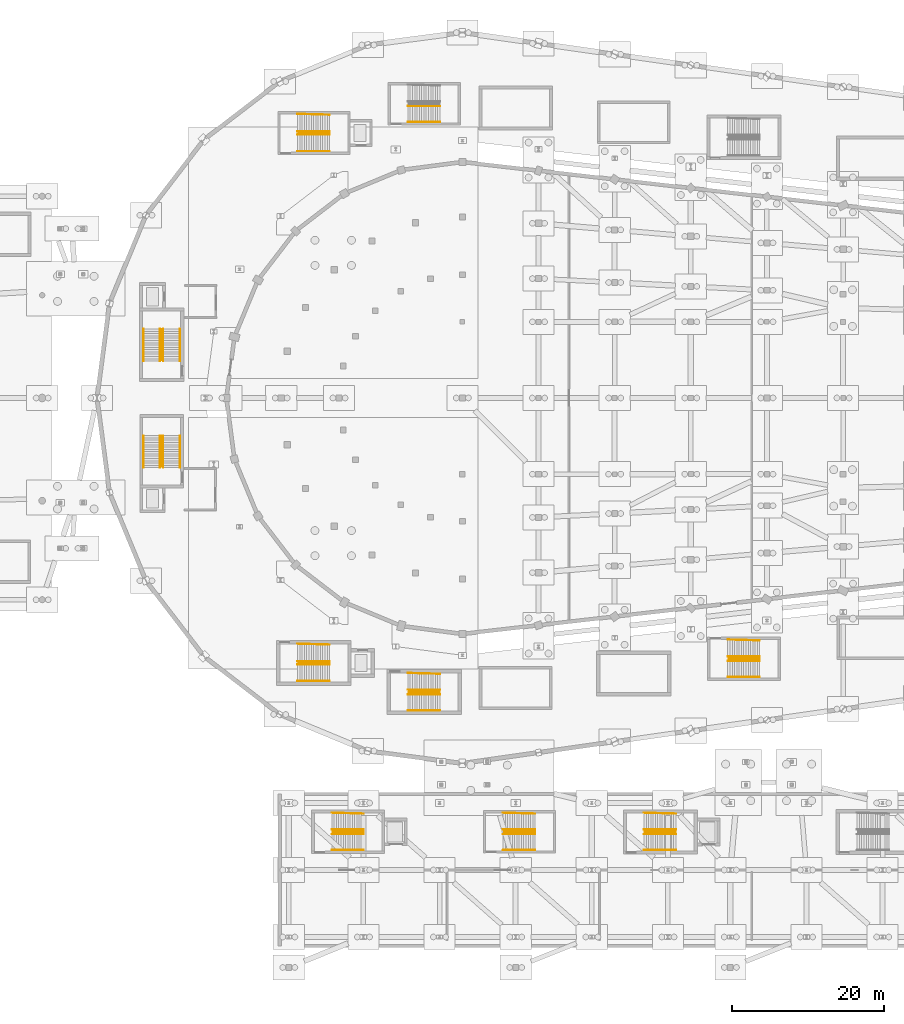
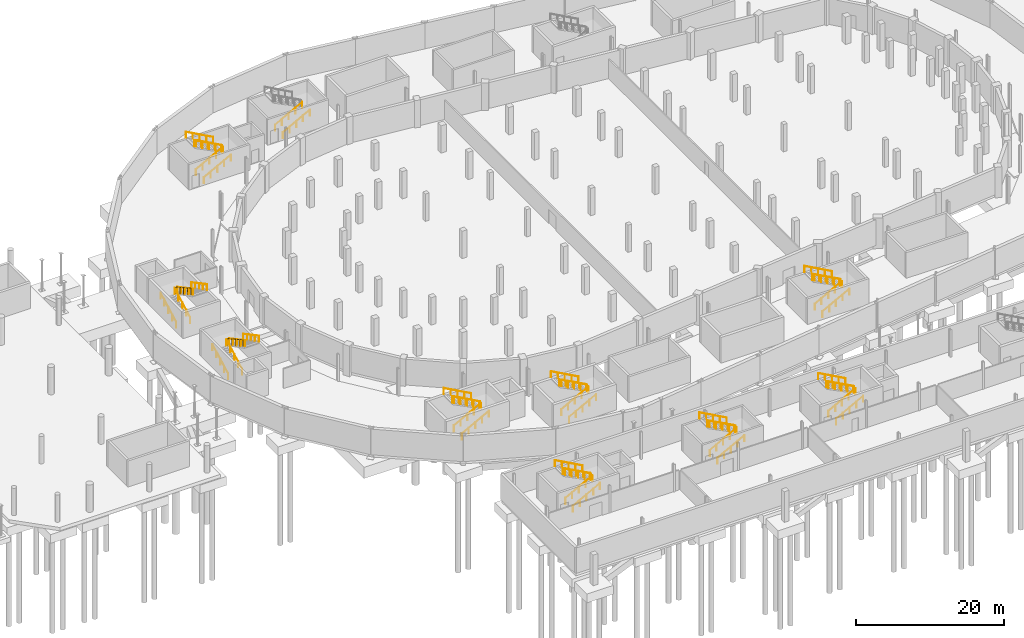
# One storey, part 53 of 55: 47 railings.
"""IFC4 building model written with IfcOpenShell, lengths in metres."""

from ifc_helpers import new_model, si_unit, direction, frame, origin, origin_2d, place, context, subcontext, project, spatial, circle, extrude, material, type_object, element, save


model = new_model("IFC4")

# Units and contexts
model_context = context("Model", 3, precision=1e-05, world=origin(), true_north=direction((0.0, 1.0)))
body_context = subcontext(model_context, "Body", "Model", "MODEL_VIEW")
ifc_project = project(units=[si_unit("LENGTHUNIT", "METRE"), si_unit("AREAUNIT", "SQUARE_METRE"), si_unit("VOLUMEUNIT", "CUBIC_METRE"), si_unit("PLANEANGLEUNIT", "RADIAN"), si_unit("MASSUNIT", "GRAM", prefix="KILO")], contexts=[model_context])

# Site, building, storey
site_placement = place(None, origin())
site = spatial("IfcSite", under=ifc_project, at=site_placement, CompositionType="ELEMENT")
building_placement = place(site_placement, origin())
building = spatial("IfcBuilding", under=site, at=building_placement, Name="Sohan Crest Arena", CompositionType="ELEMENT")
storey_placement = place(building_placement, frame((0.0, 0.0, -4.5)))
storey = spatial("IfcBuildingStorey", under=building, at=storey_placement, Name="B1", CompositionType="ELEMENT", Elevation=-4.5)

# Railings
ifc_material_1 = material(Name="Powder-coated wrought steel balustrade", Category="steel")
railing_type_1 = type_object("IfcRailingType", Name="ARC-GRD-01", PredefinedType="GUARDRAIL", material=ifc_material_1)
for number, where, name in (
    (1, (58.5, 73.030029296875, 2.25), "Stair well slot guard GRD-001"),
    (2, (58.5, 87.030029296875, 2.25), "Stair well slot guard GRD-008"),
):
    element("IfcRailing", number, at=place(storey_placement, frame(where)), inside=storey, type_object=railing_type_1, Name=name, PredefinedType="GUARDRAIL", context=body_context, shape_type="SweptSolid", body=[
        extrude(circle(Radius=0.02392578125, at=origin_2d()), frame((0.0, 0.0, 1.076171875), z_axis=(0.0, -0.87313487534, 0.487478706678), x_axis=(1.0, 0.0, 0.0)), (0.0, 0.0, 1.0), 4.615478515625),
        extrude(circle(Radius=0.02099609375, at=origin_2d()), origin(), (0.0, 0.0, 1.0), 1.052001953125),
        extrude(circle(Radius=0.02099609375, at=origin_2d()), frame((0.0, -1.007568359375, 0.5625)), (0.0, 0.0, 1.0), 1.052001953125),
        extrude(circle(Radius=0.02099609375, at=origin_2d()), frame((0.0, -2.01513671875, 1.125)), (0.0, 0.0, 1.0), 1.052001953125),
        extrude(circle(Radius=0.02099609375, at=origin_2d()), frame((0.0, -3.0224609375, 1.6875)), (0.0, 0.0, 1.0), 1.052001953125),
        extrude(circle(Radius=0.02099609375, at=origin_2d()), frame((0.0, -4.030029296875, 2.25)), (0.0, 0.0, 1.0), 1.052001953125),
    ])
for number, where, name in (
    (3, (80.530029296875, 43.199951171875, 2.25), "Stair well slot guard GRD-015"),
    (4, (80.530029296875, 112.800048828125, 2.25), "Stair well slot guard GRD-022"),
    (5, (107.530029296875, 21.0, 2.25), "Stair well slot guard GRD-066"),
    (6, (85.030029296875, 21.0, 2.25), "Stair well slot guard GRD-087"),
    (7, (126.030029296875, 21.0, 2.25), "Stair well slot guard GRD-093"),
    (8, (95.030029296875, 39.360107421875, 2.25), "Stair well slot guard GRD-099"),
    (9, (137.030029296875, 43.75, 2.25), "Stair well slot guard GRD-111"),
):
    element("IfcRailing", number, at=place(storey_placement, frame(where)), inside=storey, type_object=railing_type_1, Name=name, PredefinedType="GUARDRAIL", context=body_context, shape_type="SweptSolid", body=[
        extrude(circle(Radius=0.02392578125, at=origin_2d()), frame((0.0, 0.0, 1.076171875), z_axis=(-0.87313487534, 0.0, 0.487478706678), x_axis=(0.0, -1.0, 0.0)), (0.0, 0.0, 1.0), 4.615478515625),
        extrude(circle(Radius=0.02099609375, at=origin_2d()), origin(), (0.0, 0.0, 1.0), 1.052001953125),
        extrude(circle(Radius=0.02099609375, at=origin_2d()), frame((-1.007568359375, 0.0, 0.5625)), (0.0, 0.0, 1.0), 1.052001953125),
        extrude(circle(Radius=0.02099609375, at=origin_2d()), frame((-2.01513671875, 0.0, 1.125)), (0.0, 0.0, 1.0), 1.052001953125),
        extrude(circle(Radius=0.02099609375, at=origin_2d()), frame((-3.0224609375, 0.0, 1.6875)), (0.0, 0.0, 1.0), 1.052001953125),
        extrude(circle(Radius=0.02099609375, at=origin_2d()), frame((-4.030029296875, 0.0, 2.25)), (0.0, 0.0, 1.0), 1.052001953125),
    ])
ifc_material_2 = material(Name="Brushed stainless steel stair handrail", Category="steel")
railing_type_2 = type_object("IfcRailingType", Name="ARC-HR-01", PredefinedType="HANDRAIL", material=ifc_material_2)
for number, where, name in (
    (10, (56.110107421875, 68.85009765625, 0.0), "Stair pitch handrail HR-001"),
    (11, (58.2900390625, 68.85009765625, 0.0), "Stair pitch handrail HR-002"),
):
    element("IfcRailing", number, at=place(storey_placement, frame(where)), inside=storey, type_object=railing_type_2, Name=name, PredefinedType="HANDRAIL", context=body_context, shape_type="SweptSolid", body=[
        extrude(circle(Radius=0.02392578125, at=origin_2d()), frame((0.0, 0.0, 0.97607421875), z_axis=(0.0, 0.881477684796, 0.472225678258), x_axis=(-1.0, 0.0, 0.0)), (0.0, 0.0, 1.0), 4.7646484375),
        extrude(circle(Radius=0.02099609375, at=origin_2d()), origin(), (0.0, 0.0, 1.0), 0.951904296875),
        extrude(circle(Radius=0.02099609375, at=origin_2d()), frame((0.0, 1.050048828125, 0.5625)), (0.0, 0.0, 1.0), 0.951904296875),
        extrude(circle(Radius=0.02099609375, at=origin_2d()), frame((0.0, 2.10009765625, 1.125)), (0.0, 0.0, 1.0), 0.951904296875),
        extrude(circle(Radius=0.02099609375, at=origin_2d()), frame((0.0, 3.14990234375, 1.6875)), (0.0, 0.0, 1.0), 0.951904296875),
        extrude(circle(Radius=0.02099609375, at=origin_2d()), frame((0.0, 4.199951171875, 2.25)), (0.0, 0.0, 1.0), 0.951904296875),
    ])
for number, where, name in (
    (12, (58.7099609375, 73.050048828125, 2.25), "Stair pitch handrail HR-003"),
    (13, (60.889892578125, 73.050048828125, 2.25), "Stair pitch handrail HR-004"),
):
    element("IfcRailing", number, at=place(storey_placement, frame(where)), inside=storey, type_object=railing_type_2, Name=name, PredefinedType="HANDRAIL", context=body_context, shape_type="SweptSolid", body=[
        extrude(circle(Radius=0.02392578125, at=origin_2d()), frame((0.0, 0.0, 0.97607421875), z_axis=(0.0, -0.881477684796, 0.472225678258), x_axis=(1.0, 0.0, 0.0)), (0.0, 0.0, 1.0), 4.7646484375),
        extrude(circle(Radius=0.02099609375, at=origin_2d()), origin(), (0.0, 0.0, 1.0), 0.951904296875),
        extrude(circle(Radius=0.02099609375, at=origin_2d()), frame((0.0, -1.050048828125, 0.5625)), (0.0, 0.0, 1.0), 0.951904296875),
        extrude(circle(Radius=0.02099609375, at=origin_2d()), frame((0.0, -2.10009765625, 1.125)), (0.0, 0.0, 1.0), 0.951904296875),
        extrude(circle(Radius=0.02099609375, at=origin_2d()), frame((0.0, -3.14990234375, 1.6875)), (0.0, 0.0, 1.0), 0.951904296875),
        extrude(circle(Radius=0.02099609375, at=origin_2d()), frame((0.0, -4.199951171875, 2.25)), (0.0, 0.0, 1.0), 0.951904296875),
    ])
for number, where, name in (
    (14, (56.110107421875, 82.85009765625, 0.0), "Stair pitch handrail HR-025"),
    (15, (58.2900390625, 82.85009765625, 0.0), "Stair pitch handrail HR-026"),
):
    element("IfcRailing", number, at=place(storey_placement, frame(where)), inside=storey, type_object=railing_type_2, Name=name, PredefinedType="HANDRAIL", context=body_context, shape_type="SweptSolid", body=[
        extrude(circle(Radius=0.02392578125, at=origin_2d()), frame((0.0, 0.0, 0.97607421875), z_axis=(0.0, 0.881477684796, 0.472225678258), x_axis=(-1.0, 0.0, 0.0)), (0.0, 0.0, 1.0), 4.7646484375),
        extrude(circle(Radius=0.02099609375, at=origin_2d()), origin(), (0.0, 0.0, 1.0), 0.951904296875),
        extrude(circle(Radius=0.02099609375, at=origin_2d()), frame((0.0, 1.050048828125, 0.5625)), (0.0, 0.0, 1.0), 0.951904296875),
        extrude(circle(Radius=0.02099609375, at=origin_2d()), frame((0.0, 2.10009765625, 1.125)), (0.0, 0.0, 1.0), 0.951904296875),
        extrude(circle(Radius=0.02099609375, at=origin_2d()), frame((0.0, 3.14990234375, 1.6875)), (0.0, 0.0, 1.0), 0.951904296875),
        extrude(circle(Radius=0.02099609375, at=origin_2d()), frame((0.0, 4.199951171875, 2.25)), (0.0, 0.0, 1.0), 0.951904296875),
    ])
for number, where, name in (
    (16, (58.7099609375, 87.050048828125, 2.25), "Stair pitch handrail HR-027"),
    (17, (60.889892578125, 87.050048828125, 2.25), "Stair pitch handrail HR-028"),
):
    element("IfcRailing", number, at=place(storey_placement, frame(where)), inside=storey, type_object=railing_type_2, Name=name, PredefinedType="HANDRAIL", context=body_context, shape_type="SweptSolid", body=[
        extrude(circle(Radius=0.02392578125, at=origin_2d()), frame((0.0, 0.0, 0.97607421875), z_axis=(0.0, -0.881477684796, 0.472225678258), x_axis=(1.0, 0.0, 0.0)), (0.0, 0.0, 1.0), 4.7646484375),
        extrude(circle(Radius=0.02099609375, at=origin_2d()), origin(), (0.0, 0.0, 1.0), 0.951904296875),
        extrude(circle(Radius=0.02099609375, at=origin_2d()), frame((0.0, -1.050048828125, 0.5625)), (0.0, 0.0, 1.0), 0.951904296875),
        extrude(circle(Radius=0.02099609375, at=origin_2d()), frame((0.0, -2.10009765625, 1.125)), (0.0, 0.0, 1.0), 0.951904296875),
        extrude(circle(Radius=0.02099609375, at=origin_2d()), frame((0.0, -3.14990234375, 1.6875)), (0.0, 0.0, 1.0), 0.951904296875),
        extrude(circle(Radius=0.02099609375, at=origin_2d()), frame((0.0, -4.199951171875, 2.25)), (0.0, 0.0, 1.0), 0.951904296875),
    ])
for number, where, name in (
    (18, (76.35009765625, 40.81005859375, 0.0), "Stair pitch handrail HR-049"),
    (19, (76.35009765625, 42.989990234375, 0.0), "Stair pitch handrail HR-050"),
):
    element("IfcRailing", number, at=place(storey_placement, frame(where)), inside=storey, type_object=railing_type_2, Name=name, PredefinedType="HANDRAIL", context=body_context, shape_type="SweptSolid", body=[
        extrude(circle(Radius=0.02392578125, at=origin_2d()), frame((0.0, 0.0, 0.97607421875), z_axis=(0.881477684796, 0.0, 0.472225678258), x_axis=(0.0, 1.0, 0.0)), (0.0, 0.0, 1.0), 4.7646484375),
        extrude(circle(Radius=0.02099609375, at=origin_2d()), origin(), (0.0, 0.0, 1.0), 0.951904296875),
        extrude(circle(Radius=0.02099609375, at=origin_2d()), frame((1.050048828125, 0.0, 0.5625)), (0.0, 0.0, 1.0), 0.951904296875),
        extrude(circle(Radius=0.02099609375, at=origin_2d()), frame((2.10009765625, 0.0, 1.125)), (0.0, 0.0, 1.0), 0.951904296875),
        extrude(circle(Radius=0.02099609375, at=origin_2d()), frame((3.14990234375, 0.0, 1.6875)), (0.0, 0.0, 1.0), 0.951904296875),
        extrude(circle(Radius=0.02099609375, at=origin_2d()), frame((4.199951171875, 0.0, 2.25)), (0.0, 0.0, 1.0), 0.951904296875),
    ])
railing_1_placement = place(storey_placement, frame((80.550048828125, 43.409912109375, 2.25)))
element("IfcRailing", 20, at=railing_1_placement, inside=storey, type_object=railing_type_2, Name="Stair pitch handrail HR-051", PredefinedType="HANDRAIL", context=body_context, shape_type="SweptSolid", body=[
    extrude(circle(Radius=0.02392578125, at=origin_2d()), frame((0.0, 0.0, 0.97607421875), z_axis=(-0.881477684796, 0.0, 0.472225678258), x_axis=(0.0, -1.0, 0.0)), (0.0, 0.0, 1.0), 4.7646484375),
    extrude(circle(Radius=0.02099609375, at=origin_2d()), origin(), (0.0, 0.0, 1.0), 0.951904296875),
    extrude(circle(Radius=0.02099609375, at=origin_2d()), frame((-1.050048828125, 0.0, 0.5625)), (0.0, 0.0, 1.0), 0.951904296875),
    extrude(circle(Radius=0.02099609375, at=origin_2d()), frame((-2.10009765625, 0.0, 1.125)), (0.0, 0.0, 1.0), 0.951904296875),
    extrude(circle(Radius=0.02099609375, at=origin_2d()), frame((-3.14990234375, 0.0, 1.6875)), (0.0, 0.0, 1.0), 0.951904296875),
    extrude(circle(Radius=0.02099609375, at=origin_2d()), frame((-4.199951171875, 0.0, 2.25)), (0.0, 0.0, 1.0), 0.951904296875),
])
railing_2_placement = place(storey_placement, frame((80.550048828125, 45.590087890625, 2.25)))
element("IfcRailing", 21, at=railing_2_placement, inside=storey, type_object=railing_type_2, Name="Stair pitch handrail HR-052", PredefinedType="HANDRAIL", context=body_context, shape_type="SweptSolid", body=[
    extrude(circle(Radius=0.02392578125, at=origin_2d()), frame((0.0, 0.0, 0.97607421875), z_axis=(-0.881198846469, 0.025150766356, 0.472076298847), x_axis=(-0.028529915312, -0.999592939117, 0.0)), (0.0, 0.0, 1.0), 4.76611328125),
    extrude(circle(Radius=0.02099609375, at=origin_2d()), origin(), (0.0, 0.0, 1.0), 0.951904296875),
    extrude(circle(Radius=0.02099609375, at=origin_2d()), frame((-1.050048828125, 0.030029296875, 0.5625)), (0.0, 0.0, 1.0), 0.951904296875),
    extrude(circle(Radius=0.02099609375, at=origin_2d()), frame((-2.10009765625, 0.06005859375, 1.125)), (0.0, 0.0, 1.0), 0.951904296875),
    extrude(circle(Radius=0.02099609375, at=origin_2d()), frame((-3.14990234375, 0.08984375, 1.6875)), (0.0, 0.0, 1.0), 0.951904296875),
    extrude(circle(Radius=0.02099609375, at=origin_2d()), frame((-4.199951171875, 0.119873046875, 2.25)), (0.0, 0.0, 1.0), 0.951904296875),
])
for number, where, name in (
    (22, (76.35009765625, 110.409912109375, 0.0), "Stair pitch handrail HR-073"),
    (23, (76.35009765625, 112.590087890625, 0.0), "Stair pitch handrail HR-074"),
):
    element("IfcRailing", number, at=place(storey_placement, frame(where)), inside=storey, type_object=railing_type_2, Name=name, PredefinedType="HANDRAIL", context=body_context, shape_type="SweptSolid", body=[
        extrude(circle(Radius=0.02392578125, at=origin_2d()), frame((0.0, 0.0, 0.97607421875), z_axis=(0.881477684796, 0.0, 0.472225678258), x_axis=(0.0, 1.0, 0.0)), (0.0, 0.0, 1.0), 4.7646484375),
        extrude(circle(Radius=0.02099609375, at=origin_2d()), origin(), (0.0, 0.0, 1.0), 0.951904296875),
        extrude(circle(Radius=0.02099609375, at=origin_2d()), frame((1.050048828125, 0.0, 0.5625)), (0.0, 0.0, 1.0), 0.951904296875),
        extrude(circle(Radius=0.02099609375, at=origin_2d()), frame((2.10009765625, 0.0, 1.125)), (0.0, 0.0, 1.0), 0.951904296875),
        extrude(circle(Radius=0.02099609375, at=origin_2d()), frame((3.14990234375, 0.0, 1.6875)), (0.0, 0.0, 1.0), 0.951904296875),
        extrude(circle(Radius=0.02099609375, at=origin_2d()), frame((4.199951171875, 0.0, 2.25)), (0.0, 0.0, 1.0), 0.951904296875),
    ])
railing_3_placement = place(storey_placement, frame((80.550048828125, 113.010009765625, 2.25)))
element("IfcRailing", 24, at=railing_3_placement, inside=storey, type_object=railing_type_2, Name="Stair pitch handrail HR-075", PredefinedType="HANDRAIL", context=body_context, shape_type="SweptSolid", body=[
    extrude(circle(Radius=0.02392578125, at=origin_2d()), frame((0.0, 0.0, 0.97607421875), z_axis=(-0.881477684796, 0.0, 0.472225678258), x_axis=(0.0, -1.0, 0.0)), (0.0, 0.0, 1.0), 4.7646484375),
    extrude(circle(Radius=0.02099609375, at=origin_2d()), origin(), (0.0, 0.0, 1.0), 0.951904296875),
    extrude(circle(Radius=0.02099609375, at=origin_2d()), frame((-1.050048828125, 0.0, 0.5625)), (0.0, 0.0, 1.0), 0.951904296875),
    extrude(circle(Radius=0.02099609375, at=origin_2d()), frame((-2.10009765625, 0.0, 1.125)), (0.0, 0.0, 1.0), 0.951904296875),
    extrude(circle(Radius=0.02099609375, at=origin_2d()), frame((-3.14990234375, 0.0, 1.6875)), (0.0, 0.0, 1.0), 0.951904296875),
    extrude(circle(Radius=0.02099609375, at=origin_2d()), frame((-4.199951171875, 0.0, 2.25)), (0.0, 0.0, 1.0), 0.951904296875),
])
railing_4_placement = place(storey_placement, frame((80.550048828125, 115.18994140625, 2.25)))
element("IfcRailing", 25, at=railing_4_placement, inside=storey, type_object=railing_type_2, Name="Stair pitch handrail HR-076", PredefinedType="HANDRAIL", context=body_context, shape_type="SweptSolid", body=[
    extrude(circle(Radius=0.02392578125, at=origin_2d()), frame((0.0, 0.0, 0.97607421875), z_axis=(-0.881197710057, 0.025201957411, 0.472075690047), x_axis=(-0.028587973606, -0.999591280357, 0.0)), (0.0, 0.0, 1.0), 4.76611328125),
    extrude(circle(Radius=0.02099609375, at=origin_2d()), origin(), (0.0, 0.0, 1.0), 0.951904296875),
    extrude(circle(Radius=0.02099609375, at=origin_2d()), frame((-1.050048828125, 0.030029296875, 0.5625)), (0.0, 0.0, 1.0), 0.951904296875),
    extrude(circle(Radius=0.02099609375, at=origin_2d()), frame((-2.10009765625, 0.06005859375, 1.125)), (0.0, 0.0, 1.0), 0.951904296875),
    extrude(circle(Radius=0.02099609375, at=origin_2d()), frame((-3.14990234375, 0.090087890625, 1.6875)), (0.0, 0.0, 1.0), 0.951904296875),
    extrude(circle(Radius=0.02099609375, at=origin_2d()), frame((-4.199951171875, 0.1201171875, 2.25)), (0.0, 0.0, 1.0), 0.951904296875),
])
for number, where, name in (
    (26, (103.35009765625, 18.610107421875, 0.0), "Stair pitch handrail HR-217"),
    (27, (103.35009765625, 20.68994140625, 0.0), "Stair pitch handrail HR-218"),
):
    element("IfcRailing", number, at=place(storey_placement, frame(where)), inside=storey, type_object=railing_type_2, Name=name, PredefinedType="HANDRAIL", context=body_context, shape_type="SweptSolid", body=[
        extrude(circle(Radius=0.02392578125, at=origin_2d()), frame((0.0, 0.0, 0.97607421875), z_axis=(0.881477684796, 0.0, 0.472225678258), x_axis=(0.0, 1.0, 0.0)), (0.0, 0.0, 1.0), 4.7646484375),
        extrude(circle(Radius=0.02099609375, at=origin_2d()), origin(), (0.0, 0.0, 1.0), 0.951904296875),
        extrude(circle(Radius=0.02099609375, at=origin_2d()), frame((1.050048828125, 0.0, 0.5625)), (0.0, 0.0, 1.0), 0.951904296875),
        extrude(circle(Radius=0.02099609375, at=origin_2d()), frame((2.10009765625, 0.0, 1.125)), (0.0, 0.0, 1.0), 0.951904296875),
        extrude(circle(Radius=0.02099609375, at=origin_2d()), frame((3.14990234375, 0.0, 1.6875)), (0.0, 0.0, 1.0), 0.951904296875),
        extrude(circle(Radius=0.02099609375, at=origin_2d()), frame((4.199951171875, 0.0, 2.25)), (0.0, 0.0, 1.0), 0.951904296875),
    ])
railing_5_placement = place(storey_placement, frame((107.550048828125, 21.31005859375, 2.25)))
element("IfcRailing", 28, at=railing_5_placement, inside=storey, type_object=railing_type_2, Name="Stair pitch handrail HR-219", PredefinedType="HANDRAIL", context=body_context, shape_type="SweptSolid", body=[
    extrude(circle(Radius=0.02392578125, at=origin_2d()), frame((0.0, 0.0, 0.97607421875), z_axis=(-0.881477684796, 0.0, 0.472225678258), x_axis=(0.0, -1.0, 0.0)), (0.0, 0.0, 1.0), 4.7646484375),
    extrude(circle(Radius=0.02099609375, at=origin_2d()), origin(), (0.0, 0.0, 1.0), 0.951904296875),
    extrude(circle(Radius=0.02099609375, at=origin_2d()), frame((-1.050048828125, 0.0, 0.5625)), (0.0, 0.0, 1.0), 0.951904296875),
    extrude(circle(Radius=0.02099609375, at=origin_2d()), frame((-2.10009765625, 0.0, 1.125)), (0.0, 0.0, 1.0), 0.951904296875),
    extrude(circle(Radius=0.02099609375, at=origin_2d()), frame((-3.14990234375, 0.0, 1.6875)), (0.0, 0.0, 1.0), 0.951904296875),
    extrude(circle(Radius=0.02099609375, at=origin_2d()), frame((-4.199951171875, 0.0, 2.25)), (0.0, 0.0, 1.0), 0.951904296875),
])
railing_6_placement = place(storey_placement, frame((107.550048828125, 23.389892578125, 2.25)))
element("IfcRailing", 29, at=railing_6_placement, inside=storey, type_object=railing_type_2, Name="Stair pitch handrail HR-220", PredefinedType="HANDRAIL", context=body_context, shape_type="SweptSolid", body=[
    extrude(circle(Radius=0.02392578125, at=origin_2d()), frame((0.0, 0.0, 0.97607421875), z_axis=(-0.881197710057, 0.025201957411, 0.472075690047), x_axis=(-0.028587973606, -0.999591280357, 0.0)), (0.0, 0.0, 1.0), 4.76611328125),
    extrude(circle(Radius=0.02099609375, at=origin_2d()), origin(), (0.0, 0.0, 1.0), 0.951904296875),
    extrude(circle(Radius=0.02099609375, at=origin_2d()), frame((-1.050048828125, 0.030029296875, 0.5625)), (0.0, 0.0, 1.0), 0.951904296875),
    extrude(circle(Radius=0.02099609375, at=origin_2d()), frame((-2.10009765625, 0.06005859375, 1.125)), (0.0, 0.0, 1.0), 0.951904296875),
    extrude(circle(Radius=0.02099609375, at=origin_2d()), frame((-3.14990234375, 0.090087890625, 1.6875)), (0.0, 0.0, 1.0), 0.951904296875),
    extrude(circle(Radius=0.02099609375, at=origin_2d()), frame((-4.199951171875, 0.1201171875, 2.25)), (0.0, 0.0, 1.0), 0.951904296875),
])
for number, where, name in (
    (30, (80.85009765625, 18.610107421875, 0.0), "Stair pitch handrail HR-281"),
    (31, (80.85009765625, 20.68994140625, 0.0), "Stair pitch handrail HR-282"),
):
    element("IfcRailing", number, at=place(storey_placement, frame(where)), inside=storey, type_object=railing_type_2, Name=name, PredefinedType="HANDRAIL", context=body_context, shape_type="SweptSolid", body=[
        extrude(circle(Radius=0.02392578125, at=origin_2d()), frame((0.0, 0.0, 0.97607421875), z_axis=(0.881477684796, 0.0, 0.472225678258), x_axis=(0.0, 1.0, 0.0)), (0.0, 0.0, 1.0), 4.7646484375),
        extrude(circle(Radius=0.02099609375, at=origin_2d()), origin(), (0.0, 0.0, 1.0), 0.951904296875),
        extrude(circle(Radius=0.02099609375, at=origin_2d()), frame((1.050048828125, 0.0, 0.5625)), (0.0, 0.0, 1.0), 0.951904296875),
        extrude(circle(Radius=0.02099609375, at=origin_2d()), frame((2.10009765625, 0.0, 1.125)), (0.0, 0.0, 1.0), 0.951904296875),
        extrude(circle(Radius=0.02099609375, at=origin_2d()), frame((3.14990234375, 0.0, 1.6875)), (0.0, 0.0, 1.0), 0.951904296875),
        extrude(circle(Radius=0.02099609375, at=origin_2d()), frame((4.199951171875, 0.0, 2.25)), (0.0, 0.0, 1.0), 0.951904296875),
    ])
railing_7_placement = place(storey_placement, frame((85.050048828125, 21.31005859375, 2.25)))
element("IfcRailing", 32, at=railing_7_placement, inside=storey, type_object=railing_type_2, Name="Stair pitch handrail HR-283", PredefinedType="HANDRAIL", context=body_context, shape_type="SweptSolid", body=[
    extrude(circle(Radius=0.02392578125, at=origin_2d()), frame((0.0, 0.0, 0.97607421875), z_axis=(-0.881477684796, 0.0, 0.472225678258), x_axis=(0.0, -1.0, 0.0)), (0.0, 0.0, 1.0), 4.7646484375),
    extrude(circle(Radius=0.02099609375, at=origin_2d()), origin(), (0.0, 0.0, 1.0), 0.951904296875),
    extrude(circle(Radius=0.02099609375, at=origin_2d()), frame((-1.050048828125, 0.0, 0.5625)), (0.0, 0.0, 1.0), 0.951904296875),
    extrude(circle(Radius=0.02099609375, at=origin_2d()), frame((-2.10009765625, 0.0, 1.125)), (0.0, 0.0, 1.0), 0.951904296875),
    extrude(circle(Radius=0.02099609375, at=origin_2d()), frame((-3.14990234375, 0.0, 1.6875)), (0.0, 0.0, 1.0), 0.951904296875),
    extrude(circle(Radius=0.02099609375, at=origin_2d()), frame((-4.199951171875, 0.0, 2.25)), (0.0, 0.0, 1.0), 0.951904296875),
])
railing_8_placement = place(storey_placement, frame((85.050048828125, 23.389892578125, 2.25)))
element("IfcRailing", 33, at=railing_8_placement, inside=storey, type_object=railing_type_2, Name="Stair pitch handrail HR-284", PredefinedType="HANDRAIL", context=body_context, shape_type="SweptSolid", body=[
    extrude(circle(Radius=0.02392578125, at=origin_2d()), frame((0.0, 0.0, 0.97607421875), z_axis=(-0.881197710057, 0.025201957411, 0.472075690047), x_axis=(-0.028587973606, -0.999591280357, 0.0)), (0.0, 0.0, 1.0), 4.76611328125),
    extrude(circle(Radius=0.02099609375, at=origin_2d()), origin(), (0.0, 0.0, 1.0), 0.951904296875),
    extrude(circle(Radius=0.02099609375, at=origin_2d()), frame((-1.050048828125, 0.030029296875, 0.5625)), (0.0, 0.0, 1.0), 0.951904296875),
    extrude(circle(Radius=0.02099609375, at=origin_2d()), frame((-2.10009765625, 0.06005859375, 1.125)), (0.0, 0.0, 1.0), 0.951904296875),
    extrude(circle(Radius=0.02099609375, at=origin_2d()), frame((-3.14990234375, 0.090087890625, 1.6875)), (0.0, 0.0, 1.0), 0.951904296875),
    extrude(circle(Radius=0.02099609375, at=origin_2d()), frame((-4.199951171875, 0.1201171875, 2.25)), (0.0, 0.0, 1.0), 0.951904296875),
])
for number, where, name in (
    (34, (121.85009765625, 18.610107421875, 0.0), "Stair pitch handrail HR-301"),
    (35, (121.85009765625, 20.68994140625, 0.0), "Stair pitch handrail HR-302"),
):
    element("IfcRailing", number, at=place(storey_placement, frame(where)), inside=storey, type_object=railing_type_2, Name=name, PredefinedType="HANDRAIL", context=body_context, shape_type="SweptSolid", body=[
        extrude(circle(Radius=0.02392578125, at=origin_2d()), frame((0.0, 0.0, 0.97607421875), z_axis=(0.881477684796, 0.0, 0.472225678258), x_axis=(0.0, 1.0, 0.0)), (0.0, 0.0, 1.0), 4.7646484375),
        extrude(circle(Radius=0.02099609375, at=origin_2d()), origin(), (0.0, 0.0, 1.0), 0.951904296875),
        extrude(circle(Radius=0.02099609375, at=origin_2d()), frame((1.050048828125, 0.0, 0.5625)), (0.0, 0.0, 1.0), 0.951904296875),
        extrude(circle(Radius=0.02099609375, at=origin_2d()), frame((2.10009765625, 0.0, 1.125)), (0.0, 0.0, 1.0), 0.951904296875),
        extrude(circle(Radius=0.02099609375, at=origin_2d()), frame((3.14990234375, 0.0, 1.6875)), (0.0, 0.0, 1.0), 0.951904296875),
        extrude(circle(Radius=0.02099609375, at=origin_2d()), frame((4.199951171875, 0.0, 2.25)), (0.0, 0.0, 1.0), 0.951904296875),
    ])
railing_9_placement = place(storey_placement, frame((126.050048828125, 21.31005859375, 2.25)))
element("IfcRailing", 36, at=railing_9_placement, inside=storey, type_object=railing_type_2, Name="Stair pitch handrail HR-303", PredefinedType="HANDRAIL", context=body_context, shape_type="SweptSolid", body=[
    extrude(circle(Radius=0.02392578125, at=origin_2d()), frame((0.0, 0.0, 0.97607421875), z_axis=(-0.881477684796, 0.0, 0.472225678258), x_axis=(0.0, -1.0, 0.0)), (0.0, 0.0, 1.0), 4.7646484375),
    extrude(circle(Radius=0.02099609375, at=origin_2d()), origin(), (0.0, 0.0, 1.0), 0.951904296875),
    extrude(circle(Radius=0.02099609375, at=origin_2d()), frame((-1.050048828125, 0.0, 0.5625)), (0.0, 0.0, 1.0), 0.951904296875),
    extrude(circle(Radius=0.02099609375, at=origin_2d()), frame((-2.10009765625, 0.0, 1.125)), (0.0, 0.0, 1.0), 0.951904296875),
    extrude(circle(Radius=0.02099609375, at=origin_2d()), frame((-3.14990234375, 0.0, 1.6875)), (0.0, 0.0, 1.0), 0.951904296875),
    extrude(circle(Radius=0.02099609375, at=origin_2d()), frame((-4.199951171875, 0.0, 2.25)), (0.0, 0.0, 1.0), 0.951904296875),
])
railing_10_placement = place(storey_placement, frame((126.050048828125, 23.389892578125, 2.25)))
element("IfcRailing", 37, at=railing_10_placement, inside=storey, type_object=railing_type_2, Name="Stair pitch handrail HR-304", PredefinedType="HANDRAIL", context=body_context, shape_type="SweptSolid", body=[
    extrude(circle(Radius=0.02392578125, at=origin_2d()), frame((0.0, 0.0, 0.97607421875), z_axis=(-0.881197710057, 0.025201957411, 0.472075690047), x_axis=(-0.028587973606, -0.999591280357, 0.0)), (0.0, 0.0, 1.0), 4.76611328125),
    extrude(circle(Radius=0.02099609375, at=origin_2d()), origin(), (0.0, 0.0, 1.0), 0.951904296875),
    extrude(circle(Radius=0.02099609375, at=origin_2d()), frame((-1.050048828125, 0.030029296875, 0.5625)), (0.0, 0.0, 1.0), 0.951904296875),
    extrude(circle(Radius=0.02099609375, at=origin_2d()), frame((-2.10009765625, 0.06005859375, 1.125)), (0.0, 0.0, 1.0), 0.951904296875),
    extrude(circle(Radius=0.02099609375, at=origin_2d()), frame((-3.14990234375, 0.090087890625, 1.6875)), (0.0, 0.0, 1.0), 0.951904296875),
    extrude(circle(Radius=0.02099609375, at=origin_2d()), frame((-4.199951171875, 0.1201171875, 2.25)), (0.0, 0.0, 1.0), 0.951904296875),
])
for number, where, name in (
    (38, (90.85009765625, 36.969970703125, 0.0), "Stair pitch handrail HR-321"),
    (39, (90.85009765625, 39.050048828125, 0.0), "Stair pitch handrail HR-322"),
):
    element("IfcRailing", number, at=place(storey_placement, frame(where)), inside=storey, type_object=railing_type_2, Name=name, PredefinedType="HANDRAIL", context=body_context, shape_type="SweptSolid", body=[
        extrude(circle(Radius=0.02392578125, at=origin_2d()), frame((0.0, 0.0, 0.97607421875), z_axis=(0.881477684796, 0.0, 0.472225678258), x_axis=(0.0, 1.0, 0.0)), (0.0, 0.0, 1.0), 4.7646484375),
        extrude(circle(Radius=0.02099609375, at=origin_2d()), origin(), (0.0, 0.0, 1.0), 0.951904296875),
        extrude(circle(Radius=0.02099609375, at=origin_2d()), frame((1.050048828125, 0.0, 0.5625)), (0.0, 0.0, 1.0), 0.951904296875),
        extrude(circle(Radius=0.02099609375, at=origin_2d()), frame((2.10009765625, 0.0, 1.125)), (0.0, 0.0, 1.0), 0.951904296875),
        extrude(circle(Radius=0.02099609375, at=origin_2d()), frame((3.14990234375, 0.0, 1.6875)), (0.0, 0.0, 1.0), 0.951904296875),
        extrude(circle(Radius=0.02099609375, at=origin_2d()), frame((4.199951171875, 0.0, 2.25)), (0.0, 0.0, 1.0), 0.951904296875),
    ])
railing_11_placement = place(storey_placement, frame((95.050048828125, 39.669921875, 2.25)))
element("IfcRailing", 40, at=railing_11_placement, inside=storey, type_object=railing_type_2, Name="Stair pitch handrail HR-323", PredefinedType="HANDRAIL", context=body_context, shape_type="SweptSolid", body=[
    extrude(circle(Radius=0.02392578125, at=origin_2d()), frame((0.0, 0.0, 0.97607421875), z_axis=(-0.881477684796, 0.0, 0.472225678258), x_axis=(0.0, -1.0, 0.0)), (0.0, 0.0, 1.0), 4.7646484375),
    extrude(circle(Radius=0.02099609375, at=origin_2d()), origin(), (0.0, 0.0, 1.0), 0.951904296875),
    extrude(circle(Radius=0.02099609375, at=origin_2d()), frame((-1.050048828125, 0.0, 0.5625)), (0.0, 0.0, 1.0), 0.951904296875),
    extrude(circle(Radius=0.02099609375, at=origin_2d()), frame((-2.10009765625, 0.0, 1.125)), (0.0, 0.0, 1.0), 0.951904296875),
    extrude(circle(Radius=0.02099609375, at=origin_2d()), frame((-3.14990234375, 0.0, 1.6875)), (0.0, 0.0, 1.0), 0.951904296875),
    extrude(circle(Radius=0.02099609375, at=origin_2d()), frame((-4.199951171875, 0.0, 2.25)), (0.0, 0.0, 1.0), 0.951904296875),
])
railing_12_placement = place(storey_placement, frame((95.050048828125, 41.75, 2.25)))
element("IfcRailing", 41, at=railing_12_placement, inside=storey, type_object=railing_type_2, Name="Stair pitch handrail HR-324", PredefinedType="HANDRAIL", context=body_context, shape_type="SweptSolid", body=[
    extrude(circle(Radius=0.02392578125, at=origin_2d()), frame((0.0, 0.0, 0.97607421875), z_axis=(-0.881197710057, 0.025201957411, 0.472075690047), x_axis=(-0.028587973606, -0.999591280357, 0.0)), (0.0, 0.0, 1.0), 4.76611328125),
    extrude(circle(Radius=0.02099609375, at=origin_2d()), origin(), (0.0, 0.0, 1.0), 0.951904296875),
    extrude(circle(Radius=0.02099609375, at=origin_2d()), frame((-1.050048828125, 0.030029296875, 0.5625)), (0.0, 0.0, 1.0), 0.951904296875),
    extrude(circle(Radius=0.02099609375, at=origin_2d()), frame((-2.10009765625, 0.06005859375, 1.125)), (0.0, 0.0, 1.0), 0.951904296875),
    extrude(circle(Radius=0.02099609375, at=origin_2d()), frame((-3.14990234375, 0.090087890625, 1.6875)), (0.0, 0.0, 1.0), 0.951904296875),
    extrude(circle(Radius=0.02099609375, at=origin_2d()), frame((-4.199951171875, 0.1201171875, 2.25)), (0.0, 0.0, 1.0), 0.951904296875),
])
for number, where, name in (
    (42, (90.85009765625, 114.25, 0.0), "Stair pitch handrail HR-341"),
    (43, (90.85009765625, 116.330078125, 0.0), "Stair pitch handrail HR-342"),
    (44, (132.85009765625, 41.360107421875, 0.0), "Stair pitch handrail HR-361"),
    (45, (132.85009765625, 43.43994140625, 0.0), "Stair pitch handrail HR-362"),
):
    element("IfcRailing", number, at=place(storey_placement, frame(where)), inside=storey, type_object=railing_type_2, Name=name, PredefinedType="HANDRAIL", context=body_context, shape_type="SweptSolid", body=[
        extrude(circle(Radius=0.02392578125, at=origin_2d()), frame((0.0, 0.0, 0.97607421875), z_axis=(0.881477684796, 0.0, 0.472225678258), x_axis=(0.0, 1.0, 0.0)), (0.0, 0.0, 1.0), 4.7646484375),
        extrude(circle(Radius=0.02099609375, at=origin_2d()), origin(), (0.0, 0.0, 1.0), 0.951904296875),
        extrude(circle(Radius=0.02099609375, at=origin_2d()), frame((1.050048828125, 0.0, 0.5625)), (0.0, 0.0, 1.0), 0.951904296875),
        extrude(circle(Radius=0.02099609375, at=origin_2d()), frame((2.10009765625, 0.0, 1.125)), (0.0, 0.0, 1.0), 0.951904296875),
        extrude(circle(Radius=0.02099609375, at=origin_2d()), frame((3.14990234375, 0.0, 1.6875)), (0.0, 0.0, 1.0), 0.951904296875),
        extrude(circle(Radius=0.02099609375, at=origin_2d()), frame((4.199951171875, 0.0, 2.25)), (0.0, 0.0, 1.0), 0.951904296875),
    ])
railing_13_placement = place(storey_placement, frame((137.050048828125, 44.06005859375, 2.25)))
element("IfcRailing", 46, at=railing_13_placement, inside=storey, type_object=railing_type_2, Name="Stair pitch handrail HR-363", PredefinedType="HANDRAIL", context=body_context, shape_type="SweptSolid", body=[
    extrude(circle(Radius=0.02392578125, at=origin_2d()), frame((0.0, 0.0, 0.97607421875), z_axis=(-0.881477684796, 0.0, 0.472225678258), x_axis=(0.0, -1.0, 0.0)), (0.0, 0.0, 1.0), 4.7646484375),
    extrude(circle(Radius=0.02099609375, at=origin_2d()), origin(), (0.0, 0.0, 1.0), 0.951904296875),
    extrude(circle(Radius=0.02099609375, at=origin_2d()), frame((-1.050048828125, 0.0, 0.5625)), (0.0, 0.0, 1.0), 0.951904296875),
    extrude(circle(Radius=0.02099609375, at=origin_2d()), frame((-2.10009765625, 0.0, 1.125)), (0.0, 0.0, 1.0), 0.951904296875),
    extrude(circle(Radius=0.02099609375, at=origin_2d()), frame((-3.14990234375, 0.0, 1.6875)), (0.0, 0.0, 1.0), 0.951904296875),
    extrude(circle(Radius=0.02099609375, at=origin_2d()), frame((-4.199951171875, 0.0, 2.25)), (0.0, 0.0, 1.0), 0.951904296875),
])
railing_14_placement = place(storey_placement, frame((137.050048828125, 46.139892578125, 2.25)))
element("IfcRailing", 47, at=railing_14_placement, inside=storey, type_object=railing_type_2, Name="Stair pitch handrail HR-364", PredefinedType="HANDRAIL", context=body_context, shape_type="SweptSolid", body=[
    extrude(circle(Radius=0.02392578125, at=origin_2d()), frame((0.0, 0.0, 0.97607421875), z_axis=(-0.881197710057, 0.025201957411, 0.472075690047), x_axis=(-0.028587973606, -0.999591280357, 0.0)), (0.0, 0.0, 1.0), 4.76611328125),
    extrude(circle(Radius=0.02099609375, at=origin_2d()), origin(), (0.0, 0.0, 1.0), 0.951904296875),
    extrude(circle(Radius=0.02099609375, at=origin_2d()), frame((-1.050048828125, 0.030029296875, 0.5625)), (0.0, 0.0, 1.0), 0.951904296875),
    extrude(circle(Radius=0.02099609375, at=origin_2d()), frame((-2.10009765625, 0.06005859375, 1.125)), (0.0, 0.0, 1.0), 0.951904296875),
    extrude(circle(Radius=0.02099609375, at=origin_2d()), frame((-3.14990234375, 0.090087890625, 1.6875)), (0.0, 0.0, 1.0), 0.951904296875),
    extrude(circle(Radius=0.02099609375, at=origin_2d()), frame((-4.199951171875, 0.1201171875, 2.25)), (0.0, 0.0, 1.0), 0.951904296875),
])

save(model, "model.ifc")
